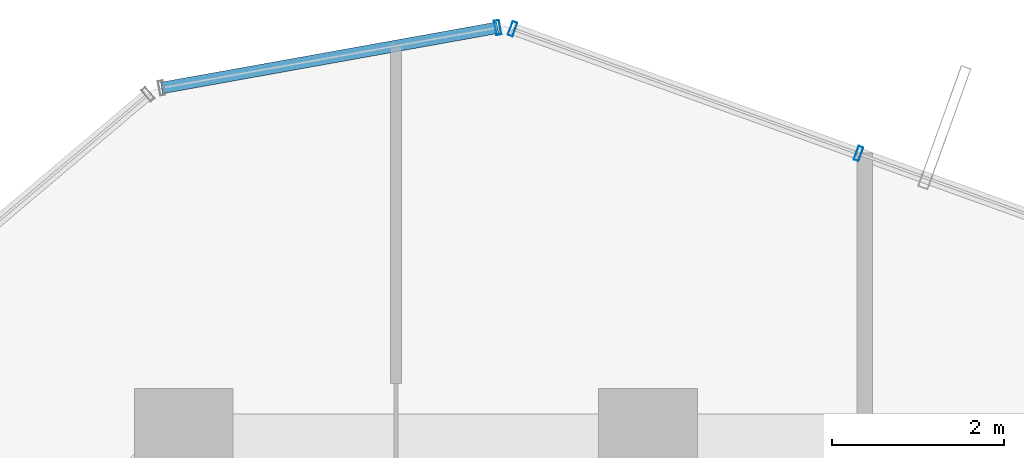
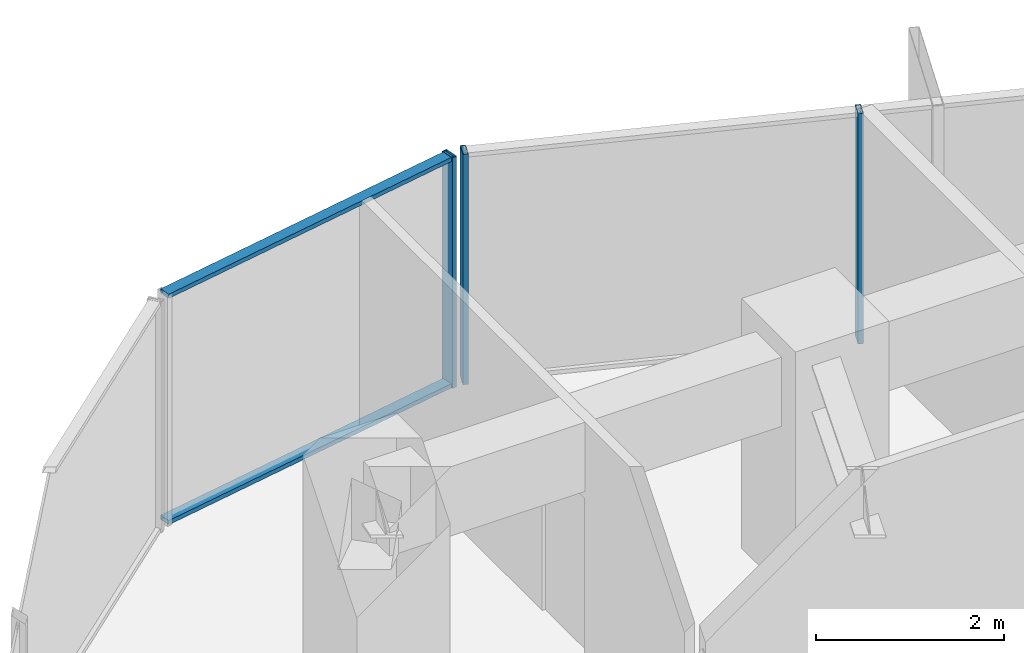
# One storey, part 28 of 36: 5 members, 2 elements without a shape of their own.
"""IFC4 building model written with IfcOpenShell, lengths in metres."""

import ifcopenshell
import ifcopenshell.guid

model = None  # the IFC model being written
_history = None  # IfcOwnerHistory: only IFC2X3 demands one
_inside = {}  # id of a spatial element -> (the spatial element, [elements in it])
_under = {}  # id of a project, library or spatial element -> (it, [spatial elements below it])
_declared = {}  # id of a project -> (the project, [libraries it declares])
_typed = {}  # id of a type object -> (the type object, [elements of that type])
_made_of = {}  # id of a material, layer set ... -> (it, [elements and type objects made of it])


def new_model(schema):
    """Start an empty IFC model of exactly this schema.

    Asked for "IFC4X3", IfcOpenShell would pick the latest addendum, in which some entities
    have other attributes; the version numbers below select the first issue.
    IFC2X3 requires an IfcOwnerHistory on every rooted entity: one is made here for all.
    """
    global model, _history
    if schema == "IFC4X3":
        model = ifcopenshell.file(schema_version=(4, 3, 0, 0))
    else:
        model = ifcopenshell.file(schema=schema)
    _inside.clear()
    _under.clear()
    _declared.clear()
    _typed.clear()
    _made_of.clear()
    _history = None
    if model.schema == "IFC2X3":
        org = make("IfcOrganization", Name="unknown")
        user = make(
            "IfcPersonAndOrganization",
            ThePerson=make("IfcPerson", FamilyName="unknown"),
            TheOrganization=org,
        )
        app = make(
            "IfcApplication",
            ApplicationDeveloper=org,
            Version="unknown",
            ApplicationFullName="unknown",
            ApplicationIdentifier="unknown",
        )
        _history = make(
            "IfcOwnerHistory",
            OwningUser=user,
            OwningApplication=app,
            ChangeAction="ADDED",
            CreationDate=0,
        )
    return model


def make(cls, **values):
    """One entity of the class cls with the attributes given. An attribute that is None is left unset."""
    return model.create_entity(
        cls, **{name: value for name, value in values.items() if value is not None}
    )


def rooted(cls, **values):
    """An entity with a GlobalId (a new one), such as an element, a storey or a relation."""
    return make(cls, GlobalId=ifcopenshell.guid.new(), OwnerHistory=_history, **values)


def si_unit(unit_type, name, prefix=None):
    """IfcSIUnit, for example si_unit("LENGTHUNIT", "METRE", prefix="MILLI")."""
    return make("IfcSIUnit", UnitType=unit_type, Prefix=prefix, Name=name)


def assignment(units):
    """IfcUnitAssignment: the units of a project."""
    return None if units is None else make("IfcUnitAssignment", Units=units)


def point(xyz):
    """IfcCartesianPoint."""
    return None if xyz is None else make("IfcCartesianPoint", Coordinates=xyz)


def direction(xyz):
    """IfcDirection."""
    return None if xyz is None else make("IfcDirection", DirectionRatios=xyz)


def frame(location, z_axis=None, x_axis=None):
    """IfcAxis2Placement3D, a coordinate frame: its origin and axes. An axis left out is left unset."""
    return make(
        "IfcAxis2Placement3D",
        Location=point(location),
        Axis=direction(z_axis),
        RefDirection=direction(x_axis),
    )


def frame_2d(location, x_axis=None):
    """IfcAxis2Placement2D, a coordinate frame in the plane: its origin and x axis."""
    return make(
        "IfcAxis2Placement2D", Location=point(location), RefDirection=direction(x_axis)
    )


def origin():
    """The frame at (0, 0, 0) with its axes left unset."""
    return frame((0.0, 0.0, 0.0))


def origin_2d():
    """The frame at (0, 0) in the plane with its x axis left unset."""
    return frame_2d((0.0, 0.0))


def place(relative_to, where):
    """IfcLocalPlacement: puts the frame where relative to a parent placement (None: the world)."""
    return make(
        "IfcLocalPlacement", PlacementRelTo=relative_to, RelativePlacement=where
    )


def context(
    kind, dimensions, precision=None, world=None, true_north=None, identifier=None
):
    """IfcGeometricRepresentationContext, for example the 3D "Model" context."""
    return make(
        "IfcGeometricRepresentationContext",
        ContextIdentifier=identifier,
        ContextType=kind,
        CoordinateSpaceDimension=dimensions,
        Precision=precision,
        WorldCoordinateSystem=world,
        TrueNorth=true_north,
    )


def subcontext(parent, identifier, kind, view, scale=None):
    """IfcGeometricRepresentationSubContext, for example "Body" below "Model"."""
    return make(
        "IfcGeometricRepresentationSubContext",
        ContextIdentifier=identifier,
        ContextType=kind,
        ParentContext=parent,
        TargetScale=scale,
        TargetView=view,
    )


def project(units=None, contexts=None):
    """IfcProject with its units and contexts."""
    return rooted(
        "IfcProject",
        Name="project",
        RepresentationContexts=contexts,
        UnitsInContext=assignment(units),
    )


def spatial(cls, under=None, at=None, **own):
    """A site, building, storey or space (cls), placed at a placement, below another one or the project."""
    s = rooted(cls, ObjectPlacement=at, **own)
    if under is not None:
        _under.setdefault(under.id(), (under, []))[1].append(s)
    return s


def profile(cls, at=None, kind="AREA", **sizes):
    """A parametric profile (cls). Its sizes go by their IFC names, for example OverallWidth=200.0."""
    return make(cls, ProfileType=kind, Position=at, **sizes)


def hollow_rectangle(**sizes):
    """IfcRectangleHollowProfileDef."""
    return profile("IfcRectangleHollowProfileDef", **sizes)


def extrude(swept, where, along, depth):
    """IfcExtrudedAreaSolid: the profile swept, set in the frame where, extruded along a direction by depth."""
    return make(
        "IfcExtrudedAreaSolid",
        SweptArea=swept,
        Position=where,
        ExtrudedDirection=direction(along),
        Depth=depth,
    )


def shape(context_of_items, identifier, shape_type, items):
    """IfcShapeRepresentation: the items that make up one representation, for example the "Body"."""
    return make(
        "IfcShapeRepresentation",
        ContextOfItems=context_of_items,
        RepresentationIdentifier=identifier,
        RepresentationType=shape_type,
        Items=items,
    )


def source(mapping_origin, context_of_items, identifier, shape_type, items):
    """IfcRepresentationMap: a shape defined once, which mapped items show again and again."""
    return make(
        "IfcRepresentationMap",
        MappingOrigin=mapping_origin,
        MappedRepresentation=shape(context_of_items, identifier, shape_type, items),
    )


def transform(
    local_origin,
    x_axis=None,
    y_axis=None,
    z_axis=None,
    scale=None,
    scale2=None,
    scale3=None,
    uniform=True,
):
    """IfcCartesianTransformationOperator3D, or its non-uniform kind. x_axis, y_axis, z_axis: its Axis1, 2, 3."""
    if uniform:
        return make(
            "IfcCartesianTransformationOperator3D",
            Axis1=direction(x_axis),
            Axis2=direction(y_axis),
            LocalOrigin=point(local_origin),
            Scale=scale,
            Axis3=direction(z_axis),
        )
    return make(
        "IfcCartesianTransformationOperator3DnonUniform",
        Axis1=direction(x_axis),
        Axis2=direction(y_axis),
        LocalOrigin=point(local_origin),
        Scale=scale,
        Axis3=direction(z_axis),
        Scale2=scale2,
        Scale3=scale3,
    )


def mapped(mapping_source, mapping_target):
    """IfcMappedItem: shows the shape of a source again, moved by a transform."""
    return make(
        "IfcMappedItem", MappingSource=mapping_source, MappingTarget=mapping_target
    )


def material(Name=None, Category=None):
    """IfcMaterial."""
    return make("IfcMaterial", Name=Name, Category=Category)


def layer(
    of_material, thickness, ventilated=None, Name=None, Category=None, Priority=None
):
    """IfcMaterialLayer: one layer of a wall or slab, of a material (None: an air gap)."""
    return make(
        "IfcMaterialLayer",
        Material=of_material,
        LayerThickness=thickness,
        IsVentilated=ventilated,
        Name=Name,
        Category=Category,
        Priority=Priority,
    )


def layer_set(layers, Name=None):
    """IfcMaterialLayerSet."""
    return make("IfcMaterialLayerSet", MaterialLayers=layers, LayerSetName=Name)


def material_profile(
    of_material, cross_section, Name=None, Category=None, Priority=None
):
    """IfcMaterialProfile: a cross section and its material."""
    return make(
        "IfcMaterialProfile",
        Name=Name,
        Material=of_material,
        Profile=cross_section,
        Priority=Priority,
        Category=Category,
    )


def profile_set(profiles, Name=None, composite=None):
    """IfcMaterialProfileSet."""
    return make(
        "IfcMaterialProfileSet",
        Name=Name,
        MaterialProfiles=profiles,
        CompositeProfile=composite,
    )


def made_of(thing, what):
    """Note that an element or type object is made of a material, layer set ...; save() writes the relation."""
    if what is not None:
        _made_of.setdefault(what.id(), (what, []))[1].append(thing)
    return thing


def type_object(cls, material=None, **own):
    """A type object (cls), such as IfcWallType, which elements share."""
    return made_of(rooted(cls, **own), material)


def element(
    cls,
    number,
    at=None,
    inside=None,
    cuts=None,
    type_object=None,
    material=None,
    context=None,
    identifier="Body",
    shape_type=None,
    held_by="IfcProductDefinitionShape",
    body=None,
    shapes=None,
    **own,
):
    """One element of the class cls, such as IfcWall. Its Tag is "e" and its number.

    at: its placement. inside: the storey or other place that contains it. cuts: it is an
    opening in that element (IfcRelVoidsElement). A single representation is given by context,
    identifier, shape_type and body (its items); several are given by shapes. held_by: the class
    of the entity that holds the representations. save() writes the other relations.
    """
    e = rooted(cls, Tag="e%d" % number, ObjectPlacement=at, **own)
    if body is not None:
        shapes = [shape(context, identifier, shape_type, body)]
    if shapes is not None:
        e.Representation = make(held_by, Representations=shapes)
    if inside is not None:
        _inside.setdefault(inside.id(), (inside, []))[1].append(e)
    if cuts is not None:
        rooted(
            "IfcRelVoidsElement", RelatingBuildingElement=cuts, RelatedOpeningElement=e
        )
    if type_object is not None:
        _typed.setdefault(type_object.id(), (type_object, []))[1].append(e)
    return made_of(e, material)


def aggregate(whole, parts):
    """IfcRelAggregates: a whole, such as a stair, and the parts it consists of."""
    return rooted("IfcRelAggregates", RelatingObject=whole, RelatedObjects=parts)


def save(model, path):
    """Write the relations noted so far, then the file.

    IfcRelAggregates (storeys below a building ...), IfcRelContainedInSpatialStructure (elements
    in a storey), IfcRelDefinesByType, IfcRelAssociatesMaterial and IfcRelDeclares: one each for
    every whole, place, type object, material and project.
    """
    for whole, parts in _under.values():
        aggregate(whole, parts)
    for where, things in _inside.values():
        rooted(
            "IfcRelContainedInSpatialStructure",
            RelatedElements=things,
            RelatingStructure=where,
        )
    for kind, things in _typed.values():
        rooted("IfcRelDefinesByType", RelatedObjects=things, RelatingType=kind)
    for what, things in _made_of.values():
        rooted("IfcRelAssociatesMaterial", RelatedObjects=things, RelatingMaterial=what)
    for by, libraries in _declared.values():
        rooted("IfcRelDeclares", RelatingContext=by, RelatedDefinitions=libraries)
    model.write(path)


model = new_model("IFC4")

# Units and contexts
model_context = context("Model", 3, precision=1e-05, world=origin(), true_north=direction((0.0, 1.0)))
body_context = subcontext(model_context, "Body", "Model", "MODEL_VIEW")
ifc_project = project(units=[si_unit("LENGTHUNIT", "METRE"), si_unit("AREAUNIT", "SQUARE_METRE"), si_unit("VOLUMEUNIT", "CUBIC_METRE"), si_unit("PLANEANGLEUNIT", "RADIAN"), si_unit("MASSUNIT", "GRAM", prefix="KILO")], contexts=[model_context])

# Site, building, storey
site_placement = place(None, origin())
site = spatial("IfcSite", under=ifc_project, at=site_placement, CompositionType="ELEMENT")
building_placement = place(site_placement, origin())
building = spatial("IfcBuilding", under=site, at=building_placement, Name="Veraguas Prism Commons", CompositionType="ELEMENT")
storey_placement = place(building_placement, frame((0.0, 0.0, 163.050048828125)))
storey = spatial("IfcBuildingStorey", under=building, at=storey_placement, Name="L46", CompositionType="ELEMENT", Elevation=163.050048828125)

# Curtain wall, members
ifc_material = material(Name="Anodised aluminium EN AW-6063 T6", Category="aluminium")
ifc_layer = layer(ifc_material, 0.169921875, Name="Unitised Flush Curtain Wall Zone 2", Category="aluminium")
ifc_layer_set = layer_set([ifc_layer], Name="Anodised aluminium EN AW-6063 T6")
curtain_wall_type = type_object("IfcCurtainWallType", Name="Unitised Flush Curtain Wall Zone 2", PredefinedType="NOTDEFINED", material=ifc_layer_set)
curtain_wall_1_placement = place(storey_placement, origin())
curtain_wall_1 = element("IfcCurtainWall", 1, at=curtain_wall_1_placement, inside=storey, type_object=curtain_wall_type, Name="Tower Facade Curtain Wall L46-F1", PredefinedType="NOTDEFINED")
ifc_material_profile_1 = material_profile(ifc_material, hollow_rectangle(XDim=0.06005859375, YDim=0.169921875, WallThickness=0.00390625, at=origin_2d()), Name="AL60X170X4")
ifc_profile_set_1 = profile_set([ifc_material_profile_1], Name="Anodised aluminium EN AW-6063 T6")
member_type_1 = type_object("IfcMemberType", Name="Curtain Wall Mullion Lower AL 60x170x4", PredefinedType="MULLION", material=ifc_profile_set_1)
shared_shape_1 = source(origin(), body_context, "Body", "SweptSolid", [
    extrude(hollow_rectangle(XDim=0.06005859375, YDim=0.169921875, WallThickness=0.00390625, at=origin_2d()), origin(), (0.0, 0.0, 1.0), 3.0),
])
member_1_placement = place(storey_placement, frame((26.45068359375, 43.507080078125, 0.0), z_axis=(0.0, 0.0, 1.0), x_axis=(-0.940760694435, 0.339071254763, 0.0)))
member_1 = element("IfcMember", 2, at=member_1_placement, type_object=member_type_1, Name="CW-Z2 Mullion 4", PredefinedType="MULLION", context=body_context, shape_type="MappedRepresentation", body=[
    mapped(shared_shape_1, transform((0.0, 0.0, 0.0), scale=1.0)),
])
member_2_placement = place(storey_placement, frame((22.425537109375, 44.957763671875, 0.0), z_axis=(0.0, 0.0, 1.0), x_axis=(-0.940760694435, 0.339071254763, 0.0)))
member_2 = element("IfcMember", 3, at=member_2_placement, type_object=member_type_1, Name="CW-Z2 Mullion 5", PredefinedType="MULLION", context=body_context, shape_type="MappedRepresentation", body=[
    mapped(shared_shape_1, transform((0.0, 0.0, 0.0), scale=1.0)),
])
aggregate(curtain_wall_1, [member_1, member_2])

curtain_wall_2_placement = place(storey_placement, origin())
curtain_wall_2 = element("IfcCurtainWall", 4, at=curtain_wall_2_placement, inside=storey, type_object=curtain_wall_type, Name="Chamfer Curtain Wall L46-C2", PredefinedType="NOTDEFINED")
member_3_placement = place(storey_placement, frame((22.25244140625, 44.972412109375, 0.0), z_axis=(0.0, 0.0, 1.0), x_axis=(-0.98425797918, -0.176737744754, 0.0)))
member_3 = element("IfcMember", 5, at=member_3_placement, type_object=member_type_1, Name="CW-Z2 Mullion 1", PredefinedType="MULLION", context=body_context, shape_type="MappedRepresentation", body=[
    mapped(shared_shape_1, transform((0.0, 0.0, 0.0), scale=1.0)),
])
ifc_material_profile_2 = material_profile(ifc_material, hollow_rectangle(XDim=0.054931640625, YDim=0.135009765625, WallThickness=0.0029296875, at=origin_2d()), Name="AL55X135X3")
ifc_profile_set_2 = profile_set([ifc_material_profile_2], Name="Anodised aluminium EN AW-6063 T6")
member_type_2 = type_object("IfcMemberType", Name="Curtain Wall Transom Standard AL 55x135x3", PredefinedType="USERDEFINED", material=ifc_profile_set_2)
shared_shape_2 = source(origin(), body_context, "Body", "SweptSolid", [
    extrude(hollow_rectangle(XDim=0.054931640625, YDim=0.135009765625, WallThickness=0.0029296875, at=origin_2d()), origin(), (0.0, 0.0, 1.0), 3.97314453125),
])
member_4_placement = place(storey_placement, frame((22.25244140625, 44.972412109375, 0.02734375), z_axis=(-0.98426079449, -0.176722065486, 0.0), x_axis=(0.0, 0.0, 1.0)))
member_4 = element("IfcMember", 6, at=member_4_placement, type_object=member_type_2, Name="CW-Z2 Transom 1", ObjectType="TRANSOM", PredefinedType="USERDEFINED", context=body_context, shape_type="MappedRepresentation", body=[
    mapped(shared_shape_2, transform((0.0, 0.0, 0.0), scale=1.0)),
])
member_5_placement = place(storey_placement, frame((22.25244140625, 44.972412109375, 2.972412109375), z_axis=(-0.98426079449, -0.176722065486, 0.0), x_axis=(0.0, 0.0, 1.0)))
member_5 = element("IfcMember", 7, at=member_5_placement, type_object=member_type_2, Name="CW-Z2 Transom 2", ObjectType="TRANSOM", PredefinedType="USERDEFINED", context=body_context, shape_type="MappedRepresentation", body=[
    mapped(shared_shape_2, transform((0.0, 0.0, 0.0), scale=1.0)),
])
aggregate(curtain_wall_2, [member_3, member_4, member_5])

save(model, "model.ifc")
